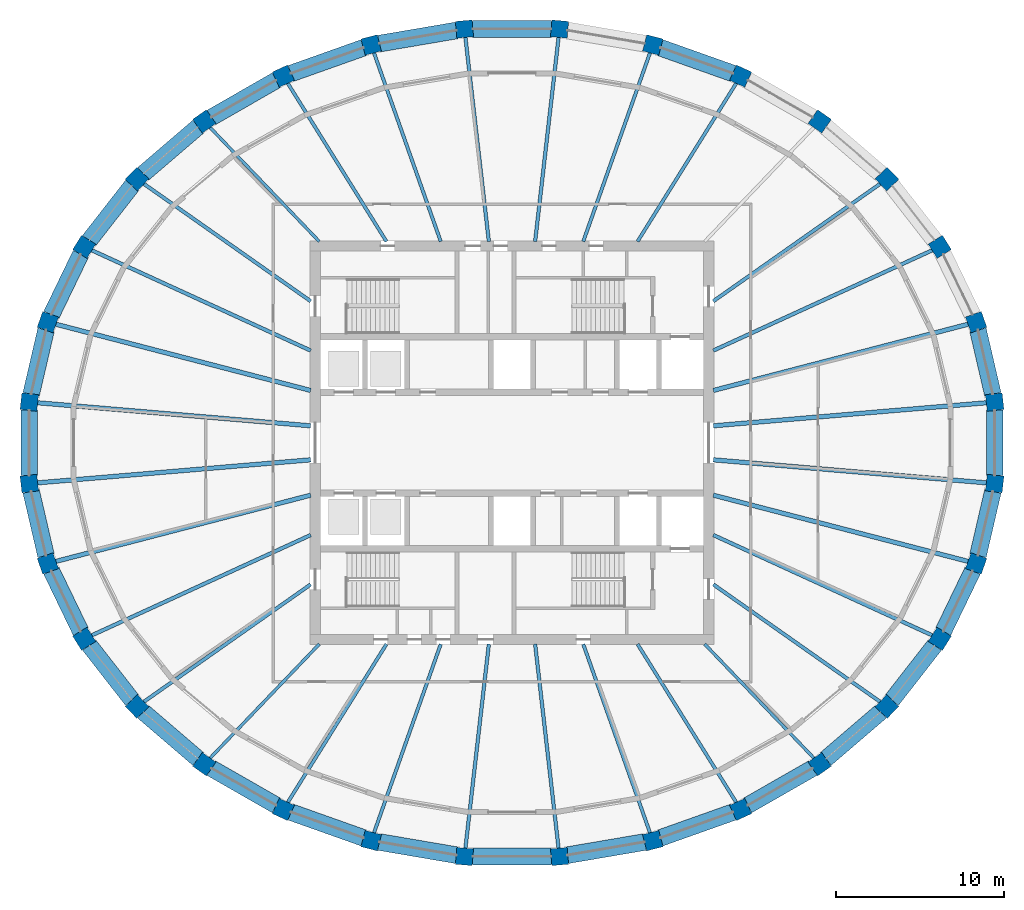
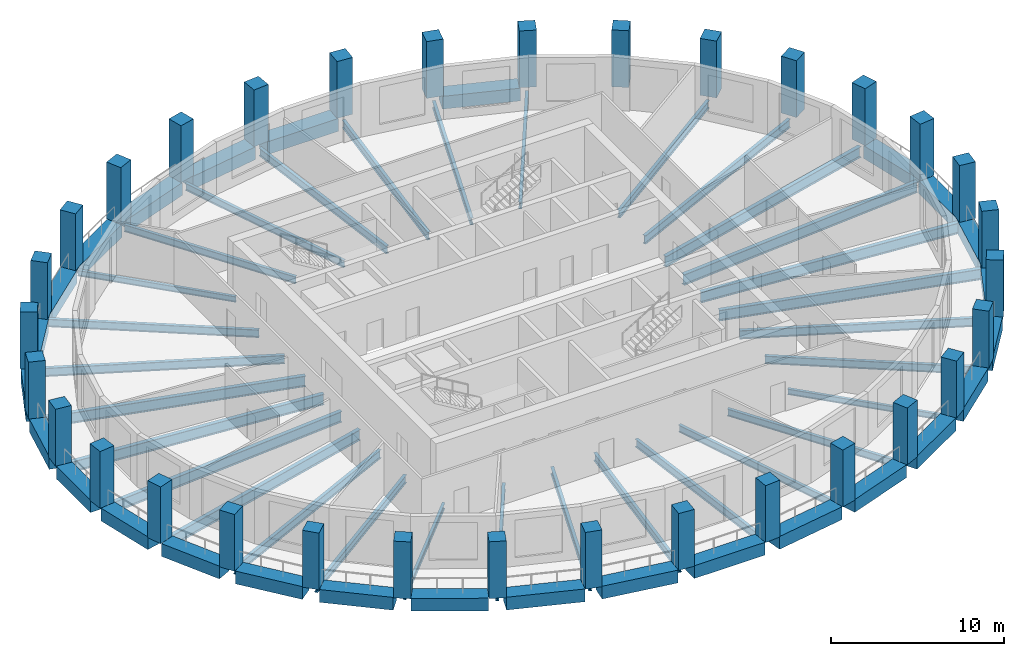
# One storey, part 1 of 10: 58 beams, 32 columns.
"""IFC4 building model written with IfcOpenShell, lengths in metres."""

from ifc_helpers import new_model, si_unit, direction, frame, origin, origin_2d, place, context, subcontext, project, spatial, rectangle, i_section, extrude, material, material_profile, profile_set, type_object, element, save


model = new_model("IFC4")

# Units and contexts
model_context = context("Model", 3, precision=1e-05, world=origin(), true_north=direction((0.0, 1.0)))
body_context = subcontext(model_context, "Body", "Model", "MODEL_VIEW")
ifc_project = project(units=[si_unit("LENGTHUNIT", "METRE"), si_unit("AREAUNIT", "SQUARE_METRE"), si_unit("VOLUMEUNIT", "CUBIC_METRE"), si_unit("PLANEANGLEUNIT", "RADIAN"), si_unit("MASSUNIT", "GRAM", prefix="KILO")], contexts=[model_context])

# Site, building, storey
site_placement = place(None, origin())
site = spatial("IfcSite", under=ifc_project, at=site_placement, CompositionType="ELEMENT")
building_placement = place(site_placement, origin())
building = spatial("IfcBuilding", under=site, at=building_placement, Name="Halqa Exchange Tower", CompositionType="ELEMENT")
storey_placement = place(building_placement, frame((0.0, 0.0, 304.300048828125)))
storey = spatial("IfcBuildingStorey", under=building, at=storey_placement, Name="L71", CompositionType="ELEMENT", Elevation=304.300048828125)

# Columns
ifc_material_1 = material(Name="Concrete C50/60", Category="concrete")
ifc_material_profile_1 = material_profile(ifc_material_1, rectangle(XDim=1.0, YDim=1.0, at=origin_2d()), Name="1000 x 1000")
ifc_profile_set_1 = profile_set([ifc_material_profile_1], Name="Concrete C50/60")
column_type = type_object("IfcColumnType", Name="RC ring column 1000 x 1000 C50/60", PredefinedType="COLUMN", material=ifc_profile_set_1)
for number, where, z_axis, x_axis, name in (
    (1, (28.703125, 2.423095703125, 0.0), (0.0, 0.0, 1.0), (-0.114149986297, 0.993463527578, 0.0), "Ring column 1"),
    (2, (27.60009765625, 7.176513671875, 0.0), (0.0, 0.0, 1.0), (-0.333622588243, 0.942706724604, 0.0), "Ring column 2"),
    (3, (25.4365234375, 11.65380859375, 0.0), (0.0, 0.0, 1.0), (-0.529150863019, 0.848527762755, 0.0), "Ring column 3"),
    (4, (22.295166015625, 15.683349609375, 0.0), (0.0, 0.0, 1.0), (-0.69158113391, 0.722298785282, 0.0), "Ring column 4"),
    (5, (18.297119140625, 19.110107421875, 0.0), (0.0, 0.0, 1.0), (-0.81790376713, 0.575355044919, 0.0), "Ring column 5"),
    (6, (13.59619140625, 21.802734375, 0.0), (0.0, 0.0, 1.0), (-0.909126368869, 0.416520402174, 0.0), "Ring column 6"),
    (7, (8.372314453125, 23.6572265625, 0.0), (0.0, 0.0, 1.0), (-0.967819503571, 0.251645402317, 0.0), "Ring column 7"),
    (8, (2.826904296875, 24.602783203125, 0.0), (0.0, 0.0, 1.0), (-0.996455225341, 0.084124811391, 0.0), "Ring column 8"),
    (9, (-2.826904296875, 24.602783203125, 0.0), (0.0, 0.0, 1.0), (-0.996455225341, -0.084124811391, 0.0), "Ring column 9"),
    (10, (-8.372314453125, 23.6572265625, 0.0), (0.0, 0.0, 1.0), (-0.967819503571, -0.251645402317, 0.0), "Ring column 10"),
    (11, (-13.59619140625, 21.802734375, 0.0), (0.0, 0.0, 1.0), (-0.909126368869, -0.416520402174, 0.0), "Ring column 11"),
    (12, (-18.297119140625, 19.110107421875, 0.0), (0.0, 0.0, 1.0), (-0.81790376713, -0.575355044919, 0.0), "Ring column 12"),
    (13, (-22.295166015625, 15.683349609375, 0.0), (0.0, 0.0, 1.0), (-0.69158113391, -0.722298785282, 0.0), "Ring column 13"),
    (14, (-25.4365234375, 11.65380859375, 0.0), (0.0, 0.0, 1.0), (-0.529150863019, -0.848527762755, 0.0), "Ring column 14"),
    (15, (-27.60009765625, 7.176513671875, 0.0), (0.0, 0.0, 1.0), (-0.333622588243, -0.942706724604, 0.0), "Ring column 15"),
    (16, (-28.703125, 2.423095703125, 0.0), (0.0, 0.0, 1.0), (-0.114149986297, -0.993463527578, 0.0), "Ring column 16"),
    (17, (-28.703125, -2.423095703125, 0.0), (0.0, 0.0, 1.0), (0.114149986297, -0.993463527578, 0.0), "Ring column 17"),
    (18, (-27.60009765625, -7.176513671875, 0.0), (0.0, 0.0, 1.0), (0.333622588243, -0.942706724604, 0.0), "Ring column 18"),
    (19, (-25.4365234375, -11.65380859375, 0.0), (0.0, 0.0, 1.0), (0.529150863019, -0.848527762755, 0.0), "Ring column 19"),
    (20, (-22.295166015625, -15.683349609375, 0.0), (0.0, 0.0, 1.0), (0.69158113391, -0.722298785282, 0.0), "Ring column 20"),
    (21, (-18.297119140625, -19.110107421875, 0.0), (0.0, 0.0, 1.0), (0.81790376713, -0.575355044919, 0.0), "Ring column 21"),
    (22, (-13.59619140625, -21.802734375, 0.0), (0.0, 0.0, 1.0), (0.909126368869, -0.416520402174, 0.0), "Ring column 22"),
    (23, (-8.372314453125, -23.6572265625, 0.0), (0.0, 0.0, 1.0), (0.967819503571, -0.251645402317, 0.0), "Ring column 23"),
    (24, (-2.826904296875, -24.602783203125, 0.0), (0.0, 0.0, 1.0), (0.996455225341, -0.084124811391, 0.0), "Ring column 24"),
    (25, (2.826904296875, -24.602783203125, 0.0), (0.0, 0.0, 1.0), (0.996455225341, 0.084124811391, 0.0), "Ring column 25"),
    (26, (8.372314453125, -23.6572265625, 0.0), (0.0, 0.0, 1.0), (0.967819503571, 0.251645402317, 0.0), "Ring column 26"),
    (27, (13.59619140625, -21.802734375, 0.0), (0.0, 0.0, 1.0), (0.909126368869, 0.416520402174, 0.0), "Ring column 27"),
    (28, (18.297119140625, -19.110107421875, 0.0), (0.0, 0.0, 1.0), (0.81790376713, 0.575355044919, 0.0), "Ring column 28"),
    (29, (22.295166015625, -15.683349609375, 0.0), (0.0, 0.0, 1.0), (0.69158113391, 0.722298785282, 0.0), "Ring column 29"),
    (30, (25.4365234375, -11.65380859375, 0.0), (0.0, 0.0, 1.0), (0.529150863019, 0.848527762755, 0.0), "Ring column 30"),
    (31, (27.60009765625, -7.176513671875, 0.0), (0.0, 0.0, 1.0), (0.333622588243, 0.942706724604, 0.0), "Ring column 31"),
    (32, (28.703125, -2.423095703125, 0.0), (0.0, 0.0, 1.0), (0.114149986297, 0.993463527578, 0.0), "Ring column 32"),
):
    element("IfcColumn", number, at=place(storey_placement, frame(where, z_axis=z_axis, x_axis=x_axis)), inside=storey, type_object=column_type, Name=name, PredefinedType="COLUMN", context=body_context, shape_type="SweptSolid", body=[
        extrude(rectangle(XDim=1.0, YDim=1.0, at=origin_2d()), origin(), (0.0, 0.0, 1.0), 4.0),
    ])

# Beams
ifc_material_2 = material(Name="Steel S355", Category="steel")
ifc_material_profile_2 = material_profile(ifc_material_2, i_section(OverallWidth=0.179931640625, OverallDepth=0.39990234375, WebThickness=0.008544921875, FlangeThickness=0.013427734375, FilletRadius=0.02099609375, at=origin_2d()), Name="IPE 400")
ifc_profile_set_2 = profile_set([ifc_material_profile_2], Name="Steel S355")
beam_type_1 = type_object("IfcBeamType", Name="Floor beam IPE 400", PredefinedType="BEAM", material=ifc_profile_set_2)
for number, where, z_axis, x_axis, name in (
    (33, (-11.46240234375, 11.9716796875, -0.5), (-0.69157007379, 0.722309374879, 0.0), (-0.722309374879, -0.69157007379, 0.0), "Radial beam 12"),
    (34, (-11.46240234375, -11.9716796875, -0.5), (-0.69157007379, -0.722309374879, 0.0), (0.722309374879, -0.69157007379, 0.0), "Radial beam 21"),
    (35, (11.46240234375, -11.9716796875, -0.5), (0.69157007379, -0.722309374879, 0.0), (0.722309374879, 0.69157007379, 0.0), "Radial beam 28"),
):
    element("IfcBeam", number, at=place(storey_placement, frame(where, z_axis=z_axis, x_axis=x_axis)), inside=storey, type_object=beam_type_1, Name=name, PredefinedType="BEAM", context=body_context, shape_type="SweptSolid", body=[
        extrude(i_section(OverallWidth=0.179931640625, OverallDepth=0.39990234375, WebThickness=0.008544921875, FlangeThickness=0.013427734375, FilletRadius=0.02099609375, at=origin_2d()), origin(), (0.0, 0.0, 1.0), 9.5068359375),
    ])
ifc_material_profile_3 = material_profile(ifc_material_2, i_section(OverallWidth=0.199951171875, OverallDepth=0.5, WebThickness=0.01025390625, FlangeThickness=0.01611328125, FilletRadius=0.02099609375, at=origin_2d()), Name="IPE 500")
ifc_profile_set_3 = profile_set([ifc_material_profile_3], Name="Steel S355")
beam_type_2 = type_object("IfcBeamType", Name="Floor beam IPE 500", PredefinedType="BEAM", material=ifc_profile_set_3)
beam_1_placement = place(storey_placement, frame((7.4658203125, 11.97216796875, -0.550048828125), z_axis=(0.529147047126, 0.848530142374, 0.0), x_axis=(-0.848530142374, 0.529147047126, 0.0)))
element("IfcBeam", 36, at=beam_1_placement, inside=storey, type_object=beam_type_2, Name="Radial beam 6", PredefinedType="BEAM", context=body_context, shape_type="SweptSolid", body=[
    extrude(i_section(OverallWidth=0.199951171875, OverallDepth=0.5, WebThickness=0.01025390625, FlangeThickness=0.01611328125, FilletRadius=0.02099609375, at=origin_2d()), origin(), (0.0, 0.0, 1.0), 11.20947265625),
])
for number, where, z_axis, x_axis, name in (
    (37, (4.237060546875, 11.97216796875, -0.550048828125), (0.33361780308, 0.942708418053, 0.0), (-0.942708418053, 0.33361780308, 0.0), "Radial beam 7"),
    (38, (-4.237060546875, 11.97216796875, -0.550048828125), (-0.33361780308, 0.942708418053, 0.0), (-0.942708418053, -0.33361780308, 0.0), "Radial beam 10"),
):
    element("IfcBeam", number, at=place(storey_placement, frame(where, z_axis=z_axis, x_axis=x_axis)), inside=storey, type_object=beam_type_2, Name=name, PredefinedType="BEAM", context=body_context, shape_type="SweptSolid", body=[
        extrude(i_section(OverallWidth=0.199951171875, OverallDepth=0.5, WebThickness=0.01025390625, FlangeThickness=0.01611328125, FilletRadius=0.02099609375, at=origin_2d()), origin(), (0.0, 0.0, 1.0), 12.021240234375),
    ])
for number, where, z_axis, x_axis, name in (
    (39, (-7.4658203125, 11.97216796875, -0.550048828125), (-0.529147047126, 0.848530142374, 0.0), (-0.848530142374, -0.529147047126, 0.0), "Radial beam 11"),
    (40, (-7.4658203125, -11.97216796875, -0.550048828125), (-0.529147047126, -0.848530142374, 0.0), (0.848530142374, -0.529147047126, 0.0), "Radial beam 22"),
):
    element("IfcBeam", number, at=place(storey_placement, frame(where, z_axis=z_axis, x_axis=x_axis)), inside=storey, type_object=beam_type_2, Name=name, PredefinedType="BEAM", context=body_context, shape_type="SweptSolid", body=[
        extrude(i_section(OverallWidth=0.199951171875, OverallDepth=0.5, WebThickness=0.01025390625, FlangeThickness=0.01611328125, FilletRadius=0.02099609375, at=origin_2d()), origin(), (0.0, 0.0, 1.0), 11.20947265625),
    ])
for number, where, z_axis, x_axis, name in (
    (41, (-4.237060546875, -11.97216796875, -0.550048828125), (-0.33361780308, -0.942708418053, 0.0), (0.942708418053, -0.33361780308, 0.0), "Radial beam 23"),
    (42, (4.237060546875, -11.97216796875, -0.550048828125), (0.33361780308, -0.942708418053, 0.0), (0.942708418053, 0.33361780308, 0.0), "Radial beam 26"),
):
    element("IfcBeam", number, at=place(storey_placement, frame(where, z_axis=z_axis, x_axis=x_axis)), inside=storey, type_object=beam_type_2, Name=name, PredefinedType="BEAM", context=body_context, shape_type="SweptSolid", body=[
        extrude(i_section(OverallWidth=0.199951171875, OverallDepth=0.5, WebThickness=0.01025390625, FlangeThickness=0.01611328125, FilletRadius=0.02099609375, at=origin_2d()), origin(), (0.0, 0.0, 1.0), 12.021240234375),
    ])
beam_2_placement = place(storey_placement, frame((7.4658203125, -11.97216796875, -0.550048828125), z_axis=(0.529147047126, -0.848530142374, 0.0), x_axis=(0.848530142374, 0.529147047126, 0.0)))
element("IfcBeam", 43, at=beam_2_placement, inside=storey, type_object=beam_type_2, Name="Radial beam 27", PredefinedType="BEAM", context=body_context, shape_type="SweptSolid", body=[
    extrude(i_section(OverallWidth=0.199951171875, OverallDepth=0.5, WebThickness=0.01025390625, FlangeThickness=0.01611328125, FilletRadius=0.02099609375, at=origin_2d()), origin(), (0.0, 0.0, 1.0), 11.20947265625),
])
ifc_material_profile_4 = material_profile(ifc_material_2, i_section(OverallWidth=0.2099609375, OverallDepth=0.550048828125, WebThickness=0.010986328125, FlangeThickness=0.01708984375, FilletRadius=0.02392578125, at=origin_2d()), Name="IPE 550")
ifc_profile_set_4 = profile_set([ifc_material_profile_4], Name="Steel S355")
beam_type_3 = type_object("IfcBeamType", Name="Floor beam IPE 550", PredefinedType="BEAM", material=ifc_profile_set_4)
beam_3_placement = place(storey_placement, frame((11.97265625, 8.422119140625, -0.574951171875), z_axis=(0.817912755627, 0.575342266988, 0.0), x_axis=(-0.575342266988, 0.817912755627, 0.0)))
element("IfcBeam", 44, at=beam_3_placement, inside=storey, type_object=beam_type_3, Name="Radial beam 4", PredefinedType="BEAM", context=body_context, shape_type="SweptSolid", body=[
    extrude(i_section(OverallWidth=0.2099609375, OverallDepth=0.550048828125, WebThickness=0.010986328125, FlangeThickness=0.01708984375, FilletRadius=0.02392578125, at=origin_2d()), origin(), (0.0, 0.0, 1.0), 12.24462890625),
])
for number, where, z_axis, x_axis, name in (
    (45, (1.37548828125, 11.9716796875, -0.574951171875), (0.114156338833, 0.993462797645, 0.0), (-0.993462797645, 0.114156338833, 0.0), "Radial beam 8"),
    (46, (-1.37548828125, 11.9716796875, -0.574951171875), (-0.114156338833, 0.993462797645, 0.0), (-0.993462797645, -0.114156338833, 0.0), "Radial beam 9"),
):
    element("IfcBeam", number, at=place(storey_placement, frame(where, z_axis=z_axis, x_axis=x_axis)), inside=storey, type_object=beam_type_3, Name=name, PredefinedType="BEAM", context=body_context, shape_type="SweptSolid", body=[
        extrude(i_section(OverallWidth=0.2099609375, OverallDepth=0.550048828125, WebThickness=0.010986328125, FlangeThickness=0.01708984375, FilletRadius=0.02392578125, at=origin_2d()), origin(), (0.0, 0.0, 1.0), 12.342041015625),
    ])
for number, where, z_axis, x_axis, name in (
    (47, (-11.97265625, 8.422119140625, -0.574951171875), (-0.817912755627, 0.575342266988, 0.0), (-0.575342266988, -0.817912755627, 0.0), "Radial beam 13"),
    (48, (-11.97265625, -8.422119140625, -0.574951171875), (-0.817912755627, -0.575342266988, 0.0), (0.575342266988, -0.817912755627, 0.0), "Radial beam 20"),
):
    element("IfcBeam", number, at=place(storey_placement, frame(where, z_axis=z_axis, x_axis=x_axis)), inside=storey, type_object=beam_type_3, Name=name, PredefinedType="BEAM", context=body_context, shape_type="SweptSolid", body=[
        extrude(i_section(OverallWidth=0.2099609375, OverallDepth=0.550048828125, WebThickness=0.010986328125, FlangeThickness=0.01708984375, FilletRadius=0.02392578125, at=origin_2d()), origin(), (0.0, 0.0, 1.0), 12.24462890625),
    ])
for number, where, z_axis, x_axis, name in (
    (49, (-1.37548828125, -11.9716796875, -0.574951171875), (-0.114156338833, -0.993462797645, 0.0), (0.993462797645, -0.114156338833, 0.0), "Radial beam 24"),
    (50, (1.37548828125, -11.9716796875, -0.574951171875), (0.114156338833, -0.993462797645, 0.0), (0.993462797645, 0.114156338833, 0.0), "Radial beam 25"),
):
    element("IfcBeam", number, at=place(storey_placement, frame(where, z_axis=z_axis, x_axis=x_axis)), inside=storey, type_object=beam_type_3, Name=name, PredefinedType="BEAM", context=body_context, shape_type="SweptSolid", body=[
        extrude(i_section(OverallWidth=0.2099609375, OverallDepth=0.550048828125, WebThickness=0.010986328125, FlangeThickness=0.01708984375, FilletRadius=0.02392578125, at=origin_2d()), origin(), (0.0, 0.0, 1.0), 12.342041015625),
    ])
beam_4_placement = place(storey_placement, frame((11.97265625, -8.422119140625, -0.574951171875), z_axis=(0.817912755627, -0.575342266988, 0.0), x_axis=(0.575342266988, 0.817912755627, 0.0)))
element("IfcBeam", 51, at=beam_4_placement, inside=storey, type_object=beam_type_3, Name="Radial beam 29", PredefinedType="BEAM", context=body_context, shape_type="SweptSolid", body=[
    extrude(i_section(OverallWidth=0.2099609375, OverallDepth=0.550048828125, WebThickness=0.010986328125, FlangeThickness=0.01708984375, FilletRadius=0.02392578125, at=origin_2d()), origin(), (0.0, 0.0, 1.0), 12.24462890625),
])
ifc_material_profile_5 = material_profile(ifc_material_2, i_section(OverallWidth=0.219970703125, OverallDepth=0.60009765625, WebThickness=0.011962890625, FlangeThickness=0.01904296875, FilletRadius=0.02392578125, at=origin_2d()), Name="IPE 600")
ifc_profile_set_5 = profile_set([ifc_material_profile_5], Name="Steel S355")
beam_type_4 = type_object("IfcBeamType", Name="Floor beam IPE 600", PredefinedType="BEAM", material=ifc_profile_set_5)
for number, where, z_axis, x_axis, name in (
    (52, (11.97216796875, 5.485107421875, -0.60009765625), (0.909125140618, 0.41652308303, 0.0), (-0.41652308303, 0.909125140618, 0.0), "Radial beam 3"),
    (53, (-11.97216796875, 5.485107421875, -0.60009765625), (-0.909125140618, 0.41652308303, 0.0), (-0.41652308303, -0.909125140618, 0.0), "Radial beam 14"),
    (54, (-11.97216796875, -5.485107421875, -0.60009765625), (-0.909125140618, -0.41652308303, 0.0), (0.41652308303, -0.909125140618, 0.0), "Radial beam 19"),
    (55, (11.97216796875, -5.485107421875, -0.60009765625), (0.909125140618, -0.41652308303, 0.0), (0.41652308303, 0.909125140618, 0.0), "Radial beam 30"),
):
    element("IfcBeam", number, at=place(storey_placement, frame(where, z_axis=z_axis, x_axis=x_axis)), inside=storey, type_object=beam_type_4, Name=name, PredefinedType="BEAM", context=body_context, shape_type="SweptSolid", body=[
        extrude(i_section(OverallWidth=0.219970703125, OverallDepth=0.60009765625, WebThickness=0.011962890625, FlangeThickness=0.01904296875, FilletRadius=0.02392578125, at=origin_2d()), origin(), (0.0, 0.0, 1.0), 14.434326171875),
    ])
ifc_material_profile_6 = material_profile(ifc_material_2, i_section(OverallWidth=0.264892578125, OverallDepth=0.7529296875, WebThickness=0.01318359375, FlangeThickness=0.01708984375, FilletRadius=0.01708984375, at=origin_2d()), Name="IPE 750x147")
ifc_profile_set_6 = profile_set([ifc_material_profile_6], Name="Steel S355")
beam_type_5 = type_object("IfcBeamType", Name="Floor beam IPE 750x147", PredefinedType="BEAM", material=ifc_profile_set_6)
beam_5_placement = place(storey_placement, frame((11.972900390625, 1.0107421875, -0.676513671875), z_axis=(0.996455440851, 0.084122258635, 0.0), x_axis=(-0.084122258635, 0.996455440851, 0.0)))
element("IfcBeam", 56, at=beam_5_placement, inside=storey, type_object=beam_type_5, Name="Radial beam 1", PredefinedType="BEAM", context=body_context, shape_type="SweptSolid", body=[
    extrude(i_section(OverallWidth=0.264892578125, OverallDepth=0.7529296875, WebThickness=0.01318359375, FlangeThickness=0.01708984375, FilletRadius=0.01708984375, at=origin_2d()), origin(), (0.0, 0.0, 1.0), 16.417724609375),
])
for number, where, z_axis, x_axis, name in (
    (57, (11.97265625, 3.113037109375, -0.676513671875), (0.967819792686, 0.25164429039, 0.0), (-0.25164429039, 0.967819792686, 0.0), "Radial beam 2"),
    (58, (-11.97265625, 3.113037109375, -0.676513671875), (-0.967819792686, 0.25164429039, 0.0), (-0.25164429039, -0.967819792686, 0.0), "Radial beam 15"),
):
    element("IfcBeam", number, at=place(storey_placement, frame(where, z_axis=z_axis, x_axis=x_axis)), inside=storey, type_object=beam_type_5, Name=name, PredefinedType="BEAM", context=body_context, shape_type="SweptSolid", body=[
        extrude(i_section(OverallWidth=0.264892578125, OverallDepth=0.7529296875, WebThickness=0.01318359375, FlangeThickness=0.01708984375, FilletRadius=0.01708984375, at=origin_2d()), origin(), (0.0, 0.0, 1.0), 15.773193359375),
    ])
for number, where, z_axis, x_axis, name in (
    (59, (-11.972900390625, 1.0107421875, -0.676513671875), (-0.996455440851, 0.084122258635, 0.0), (-0.084122258635, -0.996455440851, 0.0), "Radial beam 16"),
    (60, (-11.972900390625, -1.0107421875, -0.676513671875), (-0.996455440851, -0.084122258635, 0.0), (0.084122258635, -0.996455440851, 0.0), "Radial beam 17"),
):
    element("IfcBeam", number, at=place(storey_placement, frame(where, z_axis=z_axis, x_axis=x_axis)), inside=storey, type_object=beam_type_5, Name=name, PredefinedType="BEAM", context=body_context, shape_type="SweptSolid", body=[
        extrude(i_section(OverallWidth=0.264892578125, OverallDepth=0.7529296875, WebThickness=0.01318359375, FlangeThickness=0.01708984375, FilletRadius=0.01708984375, at=origin_2d()), origin(), (0.0, 0.0, 1.0), 16.417724609375),
    ])
for number, where, z_axis, x_axis, name in (
    (61, (-11.97265625, -3.113037109375, -0.676513671875), (-0.967819792686, -0.25164429039, 0.0), (0.25164429039, -0.967819792686, 0.0), "Radial beam 18"),
    (62, (11.97265625, -3.113037109375, -0.676513671875), (0.967819792686, -0.25164429039, 0.0), (0.25164429039, 0.967819792686, 0.0), "Radial beam 31"),
):
    element("IfcBeam", number, at=place(storey_placement, frame(where, z_axis=z_axis, x_axis=x_axis)), inside=storey, type_object=beam_type_5, Name=name, PredefinedType="BEAM", context=body_context, shape_type="SweptSolid", body=[
        extrude(i_section(OverallWidth=0.264892578125, OverallDepth=0.7529296875, WebThickness=0.01318359375, FlangeThickness=0.01708984375, FilletRadius=0.01708984375, at=origin_2d()), origin(), (0.0, 0.0, 1.0), 15.773193359375),
    ])
beam_6_placement = place(storey_placement, frame((11.972900390625, -1.0107421875, -0.676513671875), z_axis=(0.996455440851, -0.084122258635, 0.0), x_axis=(0.084122258635, 0.996455440851, 0.0)))
element("IfcBeam", 63, at=beam_6_placement, inside=storey, type_object=beam_type_5, Name="Radial beam 32", PredefinedType="BEAM", context=body_context, shape_type="SweptSolid", body=[
    extrude(i_section(OverallWidth=0.264892578125, OverallDepth=0.7529296875, WebThickness=0.01318359375, FlangeThickness=0.01708984375, FilletRadius=0.01708984375, at=origin_2d()), origin(), (0.0, 0.0, 1.0), 16.417724609375),
])
ifc_material_3 = material(Name="Concrete C60/75", Category="concrete")
ifc_material_profile_7 = material_profile(ifc_material_3, rectangle(XDim=1.0, YDim=0.89990234375, at=origin_2d()), Name="1000 x 900")
ifc_profile_set_7 = profile_set([ifc_material_profile_7], Name="Concrete C60/75")
beam_type_6 = type_object("IfcBeamType", Name="RC spandrel beam 1000 x 900 C60/75", PredefinedType="SPANDREL", material=ifc_profile_set_7)
beam_7_placement = place(storey_placement, frame((28.595703125, 2.885986328125, -0.449951171875), z_axis=(-0.225998131545, 0.974127735227, 0.0), x_axis=(-0.974127735227, -0.225998131545, 0.0)))
element("IfcBeam", 64, at=beam_7_placement, inside=storey, type_object=beam_type_6, Name="Spandrel 1", PredefinedType="SPANDREL", context=body_context, shape_type="SweptSolid", body=[
    extrude(rectangle(XDim=1.0, YDim=0.89990234375, at=origin_2d()), origin(), (0.0, 0.0, 1.0), 3.929931640625),
])
beam_8_placement = place(storey_placement, frame((13.149658203125, 21.961181640625, -0.449951171875), z_axis=(-0.942369952676, 0.33457267117, 0.0), x_axis=(-0.33457267117, -0.942369952676, 0.0)))
element("IfcBeam", 65, at=beam_8_placement, inside=storey, type_object=beam_type_6, Name="Spandrel 6", PredefinedType="SPANDREL", context=body_context, shape_type="SweptSolid", body=[
    extrude(rectangle(XDim=1.0, YDim=0.89990234375, at=origin_2d()), origin(), (0.0, 0.0, 1.0), 4.596435546875),
])
beam_9_placement = place(storey_placement, frame((2.35302734375, 24.602783203125, -0.449951171875), z_axis=(-1.0, 0.0, 0.0), x_axis=(0.0, -1.0, 0.0)))
element("IfcBeam", 66, at=beam_9_placement, inside=storey, type_object=beam_type_6, Name="Spandrel 8", PredefinedType="SPANDREL", context=body_context, shape_type="SweptSolid", body=[
    extrude(rectangle(XDim=1.0, YDim=0.89990234375, at=origin_2d()), origin(), (0.0, 0.0, 1.0), 4.7060546875),
])
beam_10_placement = place(storey_placement, frame((-3.294189453125, 24.523193359375, -0.449951171875), z_axis=(-0.985773363279, -0.168079969805, 0.0), x_axis=(0.168079969805, -0.985773363279, 0.0)))
element("IfcBeam", 67, at=beam_10_placement, inside=storey, type_object=beam_type_6, Name="Spandrel 9", PredefinedType="SPANDREL", context=body_context, shape_type="SweptSolid", body=[
    extrude(rectangle(XDim=1.0, YDim=0.89990234375, at=origin_2d()), origin(), (0.0, 0.0, 1.0), 4.67724609375),
])
beam_11_placement = place(storey_placement, frame((-8.818115234375, 23.4990234375, -0.449951171875), z_axis=(-0.942369952676, -0.33457267117, 0.0), x_axis=(0.33457267117, -0.942369952676, 0.0)))
element("IfcBeam", 68, at=beam_11_placement, inside=storey, type_object=beam_type_6, Name="Spandrel 10", PredefinedType="SPANDREL", context=body_context, shape_type="SweptSolid", body=[
    extrude(rectangle(XDim=1.0, YDim=0.89990234375, at=origin_2d()), origin(), (0.0, 0.0, 1.0), 4.596435546875),
])
beam_12_placement = place(storey_placement, frame((-14.008056640625, 21.56689453125, -0.449951171875), z_axis=(-0.867738419342, -0.497021162123, 0.0), x_axis=(0.497021162123, -0.867738419342, 0.0)))
element("IfcBeam", 69, at=beam_12_placement, inside=storey, type_object=beam_type_6, Name="Spandrel 11", PredefinedType="SPANDREL", context=body_context, shape_type="SweptSolid", body=[
    extrude(rectangle(XDim=1.0, YDim=0.89990234375, at=origin_2d()), origin(), (0.0, 0.0, 1.0), 4.468994140625),
])
beam_13_placement = place(storey_placement, frame((-18.65771484375, 18.801025390625, -0.449951171875), z_axis=(-0.759264587282, -0.650782057604, 0.0), x_axis=(0.650782057604, -0.759264587282, 0.0)))
element("IfcBeam", 70, at=beam_13_placement, inside=storey, type_object=beam_type_6, Name="Spandrel 12", PredefinedType="SPANDREL", context=body_context, shape_type="SweptSolid", body=[
    extrude(rectangle(XDim=1.0, YDim=0.89990234375, at=origin_2d()), origin(), (0.0, 0.0, 1.0), 4.31640625),
])
beam_14_placement = place(storey_placement, frame((-22.58642578125, 15.309814453125, -0.449951171875), z_axis=(-0.614813616622, -0.788672439493, 0.0), x_axis=(0.788672439493, -0.614813616622, 0.0)))
element("IfcBeam", 71, at=beam_14_placement, inside=storey, type_object=beam_type_6, Name="Spandrel 13", PredefinedType="SPANDREL", context=body_context, shape_type="SweptSolid", body=[
    extrude(rectangle(XDim=1.0, YDim=0.89990234375, at=origin_2d()), origin(), (0.0, 0.0, 1.0), 4.160888671875),
])
beam_15_placement = place(storey_placement, frame((-25.642822265625, 11.226806640625, -0.449951171875), z_axis=(-0.43510880849, -0.900377878879, 0.0), x_axis=(0.900377878879, -0.43510880849, 0.0)))
element("IfcBeam", 72, at=beam_15_placement, inside=storey, type_object=beam_type_6, Name="Spandrel 14", PredefinedType="SPANDREL", context=body_context, shape_type="SweptSolid", body=[
    extrude(rectangle(XDim=1.0, YDim=0.89990234375, at=origin_2d()), origin(), (0.0, 0.0, 1.0), 4.023193359375),
])
beam_16_placement = place(storey_placement, frame((-27.70751953125, 6.71435546875, -0.449951171875), z_axis=(-0.225998131545, -0.974127735227, 0.0), x_axis=(0.974127735227, -0.225998131545, 0.0)))
element("IfcBeam", 73, at=beam_16_placement, inside=storey, type_object=beam_type_6, Name="Spandrel 15", PredefinedType="SPANDREL", context=body_context, shape_type="SweptSolid", body=[
    extrude(rectangle(XDim=1.0, YDim=0.89990234375, at=origin_2d()), origin(), (0.0, 0.0, 1.0), 3.929931640625),
])
beam_17_placement = place(storey_placement, frame((-28.703125, 1.947998046875, -0.449951171875), z_axis=(0.0, -1.0, 0.0), x_axis=(1.0, 0.0, 0.0)))
element("IfcBeam", 74, at=beam_17_placement, inside=storey, type_object=beam_type_6, Name="Spandrel 16", PredefinedType="SPANDREL", context=body_context, shape_type="SweptSolid", body=[
    extrude(rectangle(XDim=1.0, YDim=0.89990234375, at=origin_2d()), origin(), (0.0, 0.0, 1.0), 3.89599609375),
])
beam_18_placement = place(storey_placement, frame((-28.595703125, -2.885986328125, -0.449951171875), z_axis=(0.225998131545, -0.974127735227, 0.0), x_axis=(0.974127735227, 0.225998131545, 0.0)))
element("IfcBeam", 75, at=beam_18_placement, inside=storey, type_object=beam_type_6, Name="Spandrel 17", PredefinedType="SPANDREL", context=body_context, shape_type="SweptSolid", body=[
    extrude(rectangle(XDim=1.0, YDim=0.89990234375, at=origin_2d()), origin(), (0.0, 0.0, 1.0), 3.929931640625),
])
beam_19_placement = place(storey_placement, frame((-27.393310546875, -7.6044921875, -0.449951171875), z_axis=(0.43510880849, -0.900377878879, 0.0), x_axis=(0.900377878879, 0.43510880849, 0.0)))
element("IfcBeam", 76, at=beam_19_placement, inside=storey, type_object=beam_type_6, Name="Spandrel 18", PredefinedType="SPANDREL", context=body_context, shape_type="SweptSolid", body=[
    extrude(rectangle(XDim=1.0, YDim=0.89990234375, at=origin_2d()), origin(), (0.0, 0.0, 1.0), 4.023193359375),
])
beam_20_placement = place(storey_placement, frame((-25.14453125, -12.0283203125, -0.449951171875), z_axis=(0.614813616622, -0.788672439493, 0.0), x_axis=(0.788672439493, 0.614813616622, 0.0)))
element("IfcBeam", 77, at=beam_20_placement, inside=storey, type_object=beam_type_6, Name="Spandrel 19", PredefinedType="SPANDREL", context=body_context, shape_type="SweptSolid", body=[
    extrude(rectangle(XDim=1.0, YDim=0.89990234375, at=origin_2d()), origin(), (0.0, 0.0, 1.0), 4.160888671875),
])
beam_21_placement = place(storey_placement, frame((-21.93505859375, -15.991943359375, -0.449951171875), z_axis=(0.759264587282, -0.650782057604, 0.0), x_axis=(0.650782057604, 0.759264587282, 0.0)))
element("IfcBeam", 78, at=beam_21_placement, inside=storey, type_object=beam_type_6, Name="Spandrel 20", PredefinedType="SPANDREL", context=body_context, shape_type="SweptSolid", body=[
    extrude(rectangle(XDim=1.0, YDim=0.89990234375, at=origin_2d()), origin(), (0.0, 0.0, 1.0), 4.31640625),
])
beam_22_placement = place(storey_placement, frame((-17.885986328125, -19.345703125, -0.449951171875), z_axis=(0.867738419342, -0.497021162123, 0.0), x_axis=(0.497021162123, 0.867738419342, 0.0)))
element("IfcBeam", 79, at=beam_22_placement, inside=storey, type_object=beam_type_6, Name="Spandrel 21", PredefinedType="SPANDREL", context=body_context, shape_type="SweptSolid", body=[
    extrude(rectangle(XDim=1.0, YDim=0.89990234375, at=origin_2d()), origin(), (0.0, 0.0, 1.0), 4.468994140625),
])
beam_23_placement = place(storey_placement, frame((-13.149658203125, -21.961181640625, -0.449951171875), z_axis=(0.942369952676, -0.33457267117, 0.0), x_axis=(0.33457267117, 0.942369952676, 0.0)))
element("IfcBeam", 80, at=beam_23_placement, inside=storey, type_object=beam_type_6, Name="Spandrel 22", PredefinedType="SPANDREL", context=body_context, shape_type="SweptSolid", body=[
    extrude(rectangle(XDim=1.0, YDim=0.89990234375, at=origin_2d()), origin(), (0.0, 0.0, 1.0), 4.596435546875),
])
beam_24_placement = place(storey_placement, frame((-7.90478515625, -23.737060546875, -0.449951171875), z_axis=(0.985773363279, -0.168079969805, 0.0), x_axis=(0.168079969805, 0.985773363279, 0.0)))
element("IfcBeam", 81, at=beam_24_placement, inside=storey, type_object=beam_type_6, Name="Spandrel 23", PredefinedType="SPANDREL", context=body_context, shape_type="SweptSolid", body=[
    extrude(rectangle(XDim=1.0, YDim=0.89990234375, at=origin_2d()), origin(), (0.0, 0.0, 1.0), 4.67724609375),
])
beam_25_placement = place(storey_placement, frame((-2.35302734375, -24.602783203125, -0.449951171875), z_axis=(1.0, 0.0, 0.0), x_axis=(0.0, 1.0, 0.0)))
element("IfcBeam", 82, at=beam_25_placement, inside=storey, type_object=beam_type_6, Name="Spandrel 24", PredefinedType="SPANDREL", context=body_context, shape_type="SweptSolid", body=[
    extrude(rectangle(XDim=1.0, YDim=0.89990234375, at=origin_2d()), origin(), (0.0, 0.0, 1.0), 4.7060546875),
])
beam_26_placement = place(storey_placement, frame((3.294189453125, -24.523193359375, -0.449951171875), z_axis=(0.985773363279, 0.168079969805, 0.0), x_axis=(-0.168079969805, 0.985773363279, 0.0)))
element("IfcBeam", 83, at=beam_26_placement, inside=storey, type_object=beam_type_6, Name="Spandrel 25", PredefinedType="SPANDREL", context=body_context, shape_type="SweptSolid", body=[
    extrude(rectangle(XDim=1.0, YDim=0.89990234375, at=origin_2d()), origin(), (0.0, 0.0, 1.0), 4.67724609375),
])
beam_27_placement = place(storey_placement, frame((8.818115234375, -23.4990234375, -0.449951171875), z_axis=(0.942369952676, 0.33457267117, 0.0), x_axis=(-0.33457267117, 0.942369952676, 0.0)))
element("IfcBeam", 84, at=beam_27_placement, inside=storey, type_object=beam_type_6, Name="Spandrel 26", PredefinedType="SPANDREL", context=body_context, shape_type="SweptSolid", body=[
    extrude(rectangle(XDim=1.0, YDim=0.89990234375, at=origin_2d()), origin(), (0.0, 0.0, 1.0), 4.596435546875),
])
beam_28_placement = place(storey_placement, frame((14.008056640625, -21.56689453125, -0.449951171875), z_axis=(0.867738419342, 0.497021162123, 0.0), x_axis=(-0.497021162123, 0.867738419342, 0.0)))
element("IfcBeam", 85, at=beam_28_placement, inside=storey, type_object=beam_type_6, Name="Spandrel 27", PredefinedType="SPANDREL", context=body_context, shape_type="SweptSolid", body=[
    extrude(rectangle(XDim=1.0, YDim=0.89990234375, at=origin_2d()), origin(), (0.0, 0.0, 1.0), 4.468994140625),
])
beam_29_placement = place(storey_placement, frame((18.65771484375, -18.801025390625, -0.449951171875), z_axis=(0.759264587282, 0.650782057604, 0.0), x_axis=(-0.650782057604, 0.759264587282, 0.0)))
element("IfcBeam", 86, at=beam_29_placement, inside=storey, type_object=beam_type_6, Name="Spandrel 28", PredefinedType="SPANDREL", context=body_context, shape_type="SweptSolid", body=[
    extrude(rectangle(XDim=1.0, YDim=0.89990234375, at=origin_2d()), origin(), (0.0, 0.0, 1.0), 4.31640625),
])
beam_30_placement = place(storey_placement, frame((22.58642578125, -15.309814453125, -0.449951171875), z_axis=(0.614813616622, 0.788672439493, 0.0), x_axis=(-0.788672439493, 0.614813616622, 0.0)))
element("IfcBeam", 87, at=beam_30_placement, inside=storey, type_object=beam_type_6, Name="Spandrel 29", PredefinedType="SPANDREL", context=body_context, shape_type="SweptSolid", body=[
    extrude(rectangle(XDim=1.0, YDim=0.89990234375, at=origin_2d()), origin(), (0.0, 0.0, 1.0), 4.160888671875),
])
beam_31_placement = place(storey_placement, frame((25.642822265625, -11.226806640625, -0.449951171875), z_axis=(0.43510880849, 0.900377878879, 0.0), x_axis=(-0.900377878879, 0.43510880849, 0.0)))
element("IfcBeam", 88, at=beam_31_placement, inside=storey, type_object=beam_type_6, Name="Spandrel 30", PredefinedType="SPANDREL", context=body_context, shape_type="SweptSolid", body=[
    extrude(rectangle(XDim=1.0, YDim=0.89990234375, at=origin_2d()), origin(), (0.0, 0.0, 1.0), 4.023193359375),
])
beam_32_placement = place(storey_placement, frame((27.70751953125, -6.71435546875, -0.449951171875), z_axis=(0.225998131545, 0.974127735227, 0.0), x_axis=(-0.974127735227, 0.225998131545, 0.0)))
element("IfcBeam", 89, at=beam_32_placement, inside=storey, type_object=beam_type_6, Name="Spandrel 31", PredefinedType="SPANDREL", context=body_context, shape_type="SweptSolid", body=[
    extrude(rectangle(XDim=1.0, YDim=0.89990234375, at=origin_2d()), origin(), (0.0, 0.0, 1.0), 3.929931640625),
])
beam_33_placement = place(storey_placement, frame((28.703125, -1.947998046875, -0.449951171875), z_axis=(0.0, 1.0, 0.0), x_axis=(-1.0, 0.0, 0.0)))
element("IfcBeam", 90, at=beam_33_placement, inside=storey, type_object=beam_type_6, Name="Spandrel 32", PredefinedType="SPANDREL", context=body_context, shape_type="SweptSolid", body=[
    extrude(rectangle(XDim=1.0, YDim=0.89990234375, at=origin_2d()), origin(), (0.0, 0.0, 1.0), 3.89599609375),
])

save(model, "model.ifc")
